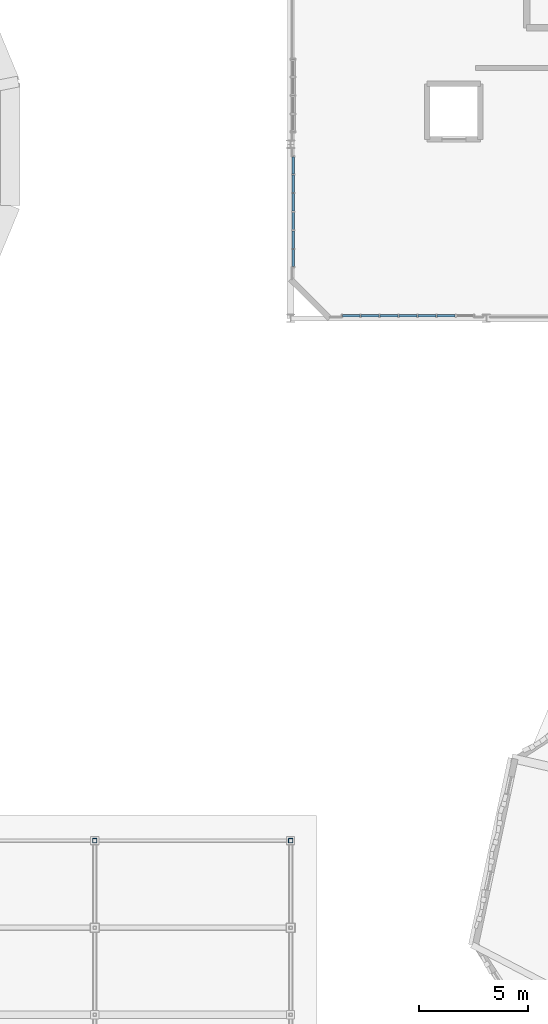
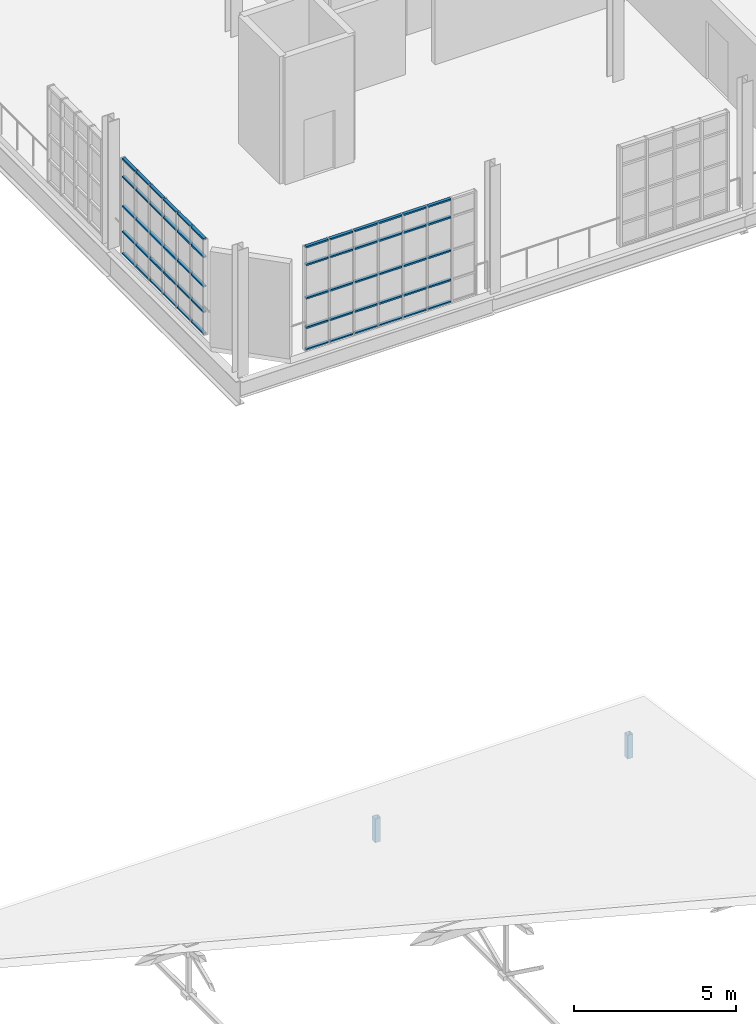
# One storey, part 74 of 118: 62 members, 2 elements without a shape of their own.
"""IFC4 building model written with IfcOpenShell, lengths in metres."""

from ifc_helpers import new_model, si_unit, direction, frame, origin, origin_2d, place, context, subcontext, project, spatial, hollow_rectangle, extrude, material, layer, layer_set, material_profile, profile_set, type_object, element, aggregate, save


model = new_model("IFC4")

# Units and contexts
model_context = context("Model", 3, precision=1e-05, world=origin(), true_north=direction((0.0, 1.0)))
body_context = subcontext(model_context, "Body", "Model", "MODEL_VIEW")
ifc_project = project(units=[si_unit("LENGTHUNIT", "METRE"), si_unit("AREAUNIT", "SQUARE_METRE"), si_unit("VOLUMEUNIT", "CUBIC_METRE"), si_unit("PLANEANGLEUNIT", "RADIAN"), si_unit("MASSUNIT", "GRAM", prefix="KILO"), si_unit("THERMODYNAMICTEMPERATUREUNIT", "KELVIN"), si_unit("POWERUNIT", "WATT")], contexts=[model_context])

# Site, building, storey
site_placement = place(None, origin())
site = spatial("IfcSite", under=ifc_project, at=site_placement, CompositionType="ELEMENT")
building_placement = place(site_placement, origin())
building = spatial("IfcBuilding", under=site, at=building_placement, Name="Zelmaris Science Centre", CompositionType="ELEMENT")
storey_placement = place(building_placement, frame((0.0, 0.0, 15.60009765625)))
storey = spatial("IfcBuildingStorey", under=building, at=storey_placement, Name="L03", CompositionType="ELEMENT", Elevation=15.60009765625)

# Curtain wall, members
ifc_material_1 = material(Name="Anodised architectural aluminium 6063-T6", Category="aluminium")
ifc_layer = layer(ifc_material_1, 0.219970703125, Name="Anodised architectural aluminium 6063-T6")
ifc_layer_set = layer_set([ifc_layer], Name="Anodised architectural aluminium 6063-T6")
curtain_wall_type = type_object("IfcCurtainWallType", Name="Curtain Wall CW-04", PredefinedType="USERDEFINED", material=ifc_layer_set)
curtain_wall_1_placement = place(storey_placement, origin())
curtain_wall_1 = element("IfcCurtainWall", 1, at=curtain_wall_1_placement, inside=storey, type_object=curtain_wall_type, Name="L03 Unitised curtain wall 276", ObjectType="GLAZED CURTAIN WALL", PredefinedType="USERDEFINED")
ifc_material_profile_1 = material_profile(ifc_material_1, hollow_rectangle(XDim=0.06005859375, YDim=0.110107421875, WallThickness=0.0029296875, at=origin_2d()), Name="ALU-TRN-60X110")
ifc_profile_set_1 = profile_set([ifc_material_profile_1], Name="Anodised architectural aluminium 6063-T6")
member_type_1 = type_object("IfcMemberType", Name="ALU-TRN-60X110", PredefinedType="USERDEFINED", material=ifc_profile_set_1)
member_1_placement = place(storey_placement, frame((54.1201171875, 66.39208984375, 0.010986328125), z_axis=(0.0, 1.0, 0.0), x_axis=(0.0, 0.0, 1.0)))
member_1 = element("IfcMember", 2, at=member_1_placement, type_object=member_type_1, Name="CW-04 transom 1.1", ObjectType="TRANSOM", PredefinedType="USERDEFINED", context=body_context, shape_type="SweptSolid", body=[
    extrude(hollow_rectangle(XDim=0.06005859375, YDim=0.110107421875, WallThickness=0.0029296875, at=origin_2d()), origin(), (0.0, 0.0, 1.0), 0.775146484375),
])
member_2_placement = place(storey_placement, frame((54.1201171875, 66.39208984375, 0.8349609375), z_axis=(0.0, 1.0, 0.0), x_axis=(0.0, 0.0, 1.0)))
member_2 = element("IfcMember", 3, at=member_2_placement, type_object=member_type_1, Name="CW-04 transom 1.2", ObjectType="TRANSOM", PredefinedType="USERDEFINED", context=body_context, shape_type="SweptSolid", body=[
    extrude(hollow_rectangle(XDim=0.06005859375, YDim=0.110107421875, WallThickness=0.0029296875, at=origin_2d()), origin(), (0.0, 0.0, 1.0), 0.775146484375),
])
member_3_placement = place(storey_placement, frame((54.1201171875, 66.39208984375, 1.7939453125), z_axis=(0.0, 1.0, 0.0), x_axis=(0.0, 0.0, 1.0)))
member_3 = element("IfcMember", 4, at=member_3_placement, type_object=member_type_1, Name="CW-04 transom 1.3", ObjectType="TRANSOM", PredefinedType="USERDEFINED", context=body_context, shape_type="SweptSolid", body=[
    extrude(hollow_rectangle(XDim=0.06005859375, YDim=0.110107421875, WallThickness=0.0029296875, at=origin_2d()), origin(), (0.0, 0.0, 1.0), 0.775146484375),
])
member_4_placement = place(storey_placement, frame((54.1201171875, 66.39208984375, 2.90283203125), z_axis=(0.0, 1.0, 0.0), x_axis=(0.0, 0.0, 1.0)))
member_4 = element("IfcMember", 5, at=member_4_placement, type_object=member_type_1, Name="CW-04 transom 1.4", ObjectType="TRANSOM", PredefinedType="USERDEFINED", context=body_context, shape_type="SweptSolid", body=[
    extrude(hollow_rectangle(XDim=0.06005859375, YDim=0.110107421875, WallThickness=0.0029296875, at=origin_2d()), origin(), (0.0, 0.0, 1.0), 0.775146484375),
])
member_5_placement = place(storey_placement, frame((54.1201171875, 66.39208984375, 3.576904296875), z_axis=(0.0, 1.0, 0.0), x_axis=(0.0, 0.0, 1.0)))
member_5 = element("IfcMember", 6, at=member_5_placement, type_object=member_type_1, Name="CW-04 transom 1.5", ObjectType="TRANSOM", PredefinedType="USERDEFINED", context=body_context, shape_type="SweptSolid", body=[
    extrude(hollow_rectangle(XDim=0.06005859375, YDim=0.110107421875, WallThickness=0.0029296875, at=origin_2d()), origin(), (0.0, 0.0, 1.0), 0.775146484375),
])
member_6_placement = place(storey_placement, frame((54.1201171875, 67.21923828125, 0.010986328125), z_axis=(0.0, 1.0, 0.0), x_axis=(0.0, 0.0, 1.0)))
member_6 = element("IfcMember", 7, at=member_6_placement, type_object=member_type_1, Name="CW-04 transom 2.1", ObjectType="TRANSOM", PredefinedType="USERDEFINED", context=body_context, shape_type="SweptSolid", body=[
    extrude(hollow_rectangle(XDim=0.06005859375, YDim=0.110107421875, WallThickness=0.0029296875, at=origin_2d()), origin(), (0.0, 0.0, 1.0), 0.801513671875),
])
member_7_placement = place(storey_placement, frame((54.1201171875, 67.21923828125, 0.8349609375), z_axis=(0.0, 1.0, 0.0), x_axis=(0.0, 0.0, 1.0)))
member_7 = element("IfcMember", 8, at=member_7_placement, type_object=member_type_1, Name="CW-04 transom 2.2", ObjectType="TRANSOM", PredefinedType="USERDEFINED", context=body_context, shape_type="SweptSolid", body=[
    extrude(hollow_rectangle(XDim=0.06005859375, YDim=0.110107421875, WallThickness=0.0029296875, at=origin_2d()), origin(), (0.0, 0.0, 1.0), 0.801513671875),
])
member_8_placement = place(storey_placement, frame((54.1201171875, 67.21923828125, 1.7939453125), z_axis=(0.0, 1.0, 0.0), x_axis=(0.0, 0.0, 1.0)))
member_8 = element("IfcMember", 9, at=member_8_placement, type_object=member_type_1, Name="CW-04 transom 2.3", ObjectType="TRANSOM", PredefinedType="USERDEFINED", context=body_context, shape_type="SweptSolid", body=[
    extrude(hollow_rectangle(XDim=0.06005859375, YDim=0.110107421875, WallThickness=0.0029296875, at=origin_2d()), origin(), (0.0, 0.0, 1.0), 0.801513671875),
])
member_9_placement = place(storey_placement, frame((54.1201171875, 67.21923828125, 2.90283203125), z_axis=(0.0, 1.0, 0.0), x_axis=(0.0, 0.0, 1.0)))
member_9 = element("IfcMember", 10, at=member_9_placement, type_object=member_type_1, Name="CW-04 transom 2.4", ObjectType="TRANSOM", PredefinedType="USERDEFINED", context=body_context, shape_type="SweptSolid", body=[
    extrude(hollow_rectangle(XDim=0.06005859375, YDim=0.110107421875, WallThickness=0.0029296875, at=origin_2d()), origin(), (0.0, 0.0, 1.0), 0.801513671875),
])
member_10_placement = place(storey_placement, frame((54.1201171875, 67.21923828125, 3.576904296875), z_axis=(0.0, 1.0, 0.0), x_axis=(0.0, 0.0, 1.0)))
member_10 = element("IfcMember", 11, at=member_10_placement, type_object=member_type_1, Name="CW-04 transom 2.5", ObjectType="TRANSOM", PredefinedType="USERDEFINED", context=body_context, shape_type="SweptSolid", body=[
    extrude(hollow_rectangle(XDim=0.06005859375, YDim=0.110107421875, WallThickness=0.0029296875, at=origin_2d()), origin(), (0.0, 0.0, 1.0), 0.801513671875),
])
member_11_placement = place(storey_placement, frame((54.1201171875, 68.07275390625, 0.010986328125), z_axis=(0.0, 1.0, 0.0), x_axis=(0.0, 0.0, 1.0)))
member_11 = element("IfcMember", 12, at=member_11_placement, type_object=member_type_1, Name="CW-04 transom 3.1", ObjectType="TRANSOM", PredefinedType="USERDEFINED", context=body_context, shape_type="SweptSolid", body=[
    extrude(hollow_rectangle(XDim=0.06005859375, YDim=0.110107421875, WallThickness=0.0029296875, at=origin_2d()), origin(), (0.0, 0.0, 1.0), 0.80126953125),
])
member_12_placement = place(storey_placement, frame((54.1201171875, 68.07275390625, 0.8349609375), z_axis=(0.0, 1.0, 0.0), x_axis=(0.0, 0.0, 1.0)))
member_12 = element("IfcMember", 13, at=member_12_placement, type_object=member_type_1, Name="CW-04 transom 3.2", ObjectType="TRANSOM", PredefinedType="USERDEFINED", context=body_context, shape_type="SweptSolid", body=[
    extrude(hollow_rectangle(XDim=0.06005859375, YDim=0.110107421875, WallThickness=0.0029296875, at=origin_2d()), origin(), (0.0, 0.0, 1.0), 0.80126953125),
])
member_13_placement = place(storey_placement, frame((54.1201171875, 68.07275390625, 1.7939453125), z_axis=(0.0, 1.0, 0.0), x_axis=(0.0, 0.0, 1.0)))
member_13 = element("IfcMember", 14, at=member_13_placement, type_object=member_type_1, Name="CW-04 transom 3.3", ObjectType="TRANSOM", PredefinedType="USERDEFINED", context=body_context, shape_type="SweptSolid", body=[
    extrude(hollow_rectangle(XDim=0.06005859375, YDim=0.110107421875, WallThickness=0.0029296875, at=origin_2d()), origin(), (0.0, 0.0, 1.0), 0.80126953125),
])
member_14_placement = place(storey_placement, frame((54.1201171875, 68.07275390625, 2.90283203125), z_axis=(0.0, 1.0, 0.0), x_axis=(0.0, 0.0, 1.0)))
member_14 = element("IfcMember", 15, at=member_14_placement, type_object=member_type_1, Name="CW-04 transom 3.4", ObjectType="TRANSOM", PredefinedType="USERDEFINED", context=body_context, shape_type="SweptSolid", body=[
    extrude(hollow_rectangle(XDim=0.06005859375, YDim=0.110107421875, WallThickness=0.0029296875, at=origin_2d()), origin(), (0.0, 0.0, 1.0), 0.80126953125),
])
member_15_placement = place(storey_placement, frame((54.1201171875, 68.07275390625, 3.576904296875), z_axis=(0.0, 1.0, 0.0), x_axis=(0.0, 0.0, 1.0)))
member_15 = element("IfcMember", 16, at=member_15_placement, type_object=member_type_1, Name="CW-04 transom 3.5", ObjectType="TRANSOM", PredefinedType="USERDEFINED", context=body_context, shape_type="SweptSolid", body=[
    extrude(hollow_rectangle(XDim=0.06005859375, YDim=0.110107421875, WallThickness=0.0029296875, at=origin_2d()), origin(), (0.0, 0.0, 1.0), 0.80126953125),
])
member_16_placement = place(storey_placement, frame((54.1201171875, 68.926025390625, 0.010986328125), z_axis=(0.0, 1.0, 0.0), x_axis=(0.0, 0.0, 1.0)))
member_16 = element("IfcMember", 17, at=member_16_placement, type_object=member_type_1, Name="CW-04 transom 4.1", ObjectType="TRANSOM", PredefinedType="USERDEFINED", context=body_context, shape_type="SweptSolid", body=[
    extrude(hollow_rectangle(XDim=0.06005859375, YDim=0.110107421875, WallThickness=0.0029296875, at=origin_2d()), origin(), (0.0, 0.0, 1.0), 0.80126953125),
])
member_17_placement = place(storey_placement, frame((54.1201171875, 68.926025390625, 0.8349609375), z_axis=(0.0, 1.0, 0.0), x_axis=(0.0, 0.0, 1.0)))
member_17 = element("IfcMember", 18, at=member_17_placement, type_object=member_type_1, Name="CW-04 transom 4.2", ObjectType="TRANSOM", PredefinedType="USERDEFINED", context=body_context, shape_type="SweptSolid", body=[
    extrude(hollow_rectangle(XDim=0.06005859375, YDim=0.110107421875, WallThickness=0.0029296875, at=origin_2d()), origin(), (0.0, 0.0, 1.0), 0.80126953125),
])
member_18_placement = place(storey_placement, frame((54.1201171875, 68.926025390625, 1.7939453125), z_axis=(0.0, 1.0, 0.0), x_axis=(0.0, 0.0, 1.0)))
member_18 = element("IfcMember", 19, at=member_18_placement, type_object=member_type_1, Name="CW-04 transom 4.3", ObjectType="TRANSOM", PredefinedType="USERDEFINED", context=body_context, shape_type="SweptSolid", body=[
    extrude(hollow_rectangle(XDim=0.06005859375, YDim=0.110107421875, WallThickness=0.0029296875, at=origin_2d()), origin(), (0.0, 0.0, 1.0), 0.80126953125),
])
member_19_placement = place(storey_placement, frame((54.1201171875, 68.926025390625, 2.90283203125), z_axis=(0.0, 1.0, 0.0), x_axis=(0.0, 0.0, 1.0)))
member_19 = element("IfcMember", 20, at=member_19_placement, type_object=member_type_1, Name="CW-04 transom 4.4", ObjectType="TRANSOM", PredefinedType="USERDEFINED", context=body_context, shape_type="SweptSolid", body=[
    extrude(hollow_rectangle(XDim=0.06005859375, YDim=0.110107421875, WallThickness=0.0029296875, at=origin_2d()), origin(), (0.0, 0.0, 1.0), 0.80126953125),
])
member_20_placement = place(storey_placement, frame((54.1201171875, 68.926025390625, 3.576904296875), z_axis=(0.0, 1.0, 0.0), x_axis=(0.0, 0.0, 1.0)))
member_20 = element("IfcMember", 21, at=member_20_placement, type_object=member_type_1, Name="CW-04 transom 4.5", ObjectType="TRANSOM", PredefinedType="USERDEFINED", context=body_context, shape_type="SweptSolid", body=[
    extrude(hollow_rectangle(XDim=0.06005859375, YDim=0.110107421875, WallThickness=0.0029296875, at=origin_2d()), origin(), (0.0, 0.0, 1.0), 0.80126953125),
])
member_21_placement = place(storey_placement, frame((54.1201171875, 69.779296875, 0.010986328125), z_axis=(0.0, 1.0, 0.0), x_axis=(0.0, 0.0, 1.0)))
member_21 = element("IfcMember", 22, at=member_21_placement, type_object=member_type_1, Name="CW-04 transom 5.1", ObjectType="TRANSOM", PredefinedType="USERDEFINED", context=body_context, shape_type="SweptSolid", body=[
    extrude(hollow_rectangle(XDim=0.06005859375, YDim=0.110107421875, WallThickness=0.0029296875, at=origin_2d()), origin(), (0.0, 0.0, 1.0), 0.80126953125),
])
member_22_placement = place(storey_placement, frame((54.1201171875, 69.779296875, 0.8349609375), z_axis=(0.0, 1.0, 0.0), x_axis=(0.0, 0.0, 1.0)))
member_22 = element("IfcMember", 23, at=member_22_placement, type_object=member_type_1, Name="CW-04 transom 5.2", ObjectType="TRANSOM", PredefinedType="USERDEFINED", context=body_context, shape_type="SweptSolid", body=[
    extrude(hollow_rectangle(XDim=0.06005859375, YDim=0.110107421875, WallThickness=0.0029296875, at=origin_2d()), origin(), (0.0, 0.0, 1.0), 0.80126953125),
])
member_23_placement = place(storey_placement, frame((54.1201171875, 69.779296875, 1.7939453125), z_axis=(0.0, 1.0, 0.0), x_axis=(0.0, 0.0, 1.0)))
member_23 = element("IfcMember", 24, at=member_23_placement, type_object=member_type_1, Name="CW-04 transom 5.3", ObjectType="TRANSOM", PredefinedType="USERDEFINED", context=body_context, shape_type="SweptSolid", body=[
    extrude(hollow_rectangle(XDim=0.06005859375, YDim=0.110107421875, WallThickness=0.0029296875, at=origin_2d()), origin(), (0.0, 0.0, 1.0), 0.80126953125),
])
member_24_placement = place(storey_placement, frame((54.1201171875, 69.779296875, 2.90283203125), z_axis=(0.0, 1.0, 0.0), x_axis=(0.0, 0.0, 1.0)))
member_24 = element("IfcMember", 25, at=member_24_placement, type_object=member_type_1, Name="CW-04 transom 5.4", ObjectType="TRANSOM", PredefinedType="USERDEFINED", context=body_context, shape_type="SweptSolid", body=[
    extrude(hollow_rectangle(XDim=0.06005859375, YDim=0.110107421875, WallThickness=0.0029296875, at=origin_2d()), origin(), (0.0, 0.0, 1.0), 0.80126953125),
])
member_25_placement = place(storey_placement, frame((54.1201171875, 69.779296875, 3.576904296875), z_axis=(0.0, 1.0, 0.0), x_axis=(0.0, 0.0, 1.0)))
member_25 = element("IfcMember", 26, at=member_25_placement, type_object=member_type_1, Name="CW-04 transom 5.5", ObjectType="TRANSOM", PredefinedType="USERDEFINED", context=body_context, shape_type="SweptSolid", body=[
    extrude(hollow_rectangle(XDim=0.06005859375, YDim=0.110107421875, WallThickness=0.0029296875, at=origin_2d()), origin(), (0.0, 0.0, 1.0), 0.80126953125),
])
member_26_placement = place(storey_placement, frame((54.1201171875, 70.632568359375, 0.010986328125), z_axis=(0.0, 1.0, 0.0), x_axis=(0.0, 0.0, 1.0)))
member_26 = element("IfcMember", 27, at=member_26_placement, type_object=member_type_1, Name="CW-04 transom 6.1", ObjectType="TRANSOM", PredefinedType="USERDEFINED", context=body_context, shape_type="SweptSolid", body=[
    extrude(hollow_rectangle(XDim=0.06005859375, YDim=0.110107421875, WallThickness=0.0029296875, at=origin_2d()), origin(), (0.0, 0.0, 1.0), 0.775390625),
])
member_27_placement = place(storey_placement, frame((54.1201171875, 70.632568359375, 0.8349609375), z_axis=(0.0, 1.0, 0.0), x_axis=(0.0, 0.0, 1.0)))
member_27 = element("IfcMember", 28, at=member_27_placement, type_object=member_type_1, Name="CW-04 transom 6.2", ObjectType="TRANSOM", PredefinedType="USERDEFINED", context=body_context, shape_type="SweptSolid", body=[
    extrude(hollow_rectangle(XDim=0.06005859375, YDim=0.110107421875, WallThickness=0.0029296875, at=origin_2d()), origin(), (0.0, 0.0, 1.0), 0.775390625),
])
member_28_placement = place(storey_placement, frame((54.1201171875, 70.632568359375, 1.7939453125), z_axis=(0.0, 1.0, 0.0), x_axis=(0.0, 0.0, 1.0)))
member_28 = element("IfcMember", 29, at=member_28_placement, type_object=member_type_1, Name="CW-04 transom 6.3", ObjectType="TRANSOM", PredefinedType="USERDEFINED", context=body_context, shape_type="SweptSolid", body=[
    extrude(hollow_rectangle(XDim=0.06005859375, YDim=0.110107421875, WallThickness=0.0029296875, at=origin_2d()), origin(), (0.0, 0.0, 1.0), 0.775390625),
])
member_29_placement = place(storey_placement, frame((54.1201171875, 70.632568359375, 2.90283203125), z_axis=(0.0, 1.0, 0.0), x_axis=(0.0, 0.0, 1.0)))
member_29 = element("IfcMember", 30, at=member_29_placement, type_object=member_type_1, Name="CW-04 transom 6.4", ObjectType="TRANSOM", PredefinedType="USERDEFINED", context=body_context, shape_type="SweptSolid", body=[
    extrude(hollow_rectangle(XDim=0.06005859375, YDim=0.110107421875, WallThickness=0.0029296875, at=origin_2d()), origin(), (0.0, 0.0, 1.0), 0.775390625),
])
member_30_placement = place(storey_placement, frame((54.1201171875, 70.632568359375, 3.576904296875), z_axis=(0.0, 1.0, 0.0), x_axis=(0.0, 0.0, 1.0)))
member_30 = element("IfcMember", 31, at=member_30_placement, type_object=member_type_1, Name="CW-04 transom 6.5", ObjectType="TRANSOM", PredefinedType="USERDEFINED", context=body_context, shape_type="SweptSolid", body=[
    extrude(hollow_rectangle(XDim=0.06005859375, YDim=0.110107421875, WallThickness=0.0029296875, at=origin_2d()), origin(), (0.0, 0.0, 1.0), 0.775390625),
])
aggregate(curtain_wall_1, [member_1, member_2, member_3, member_4, member_5, member_6, member_7, member_8, member_9, member_10, member_11, member_12, member_13, member_14, member_15, member_16, member_17, member_18, member_19, member_20, member_21, member_22, member_23, member_24, member_25, member_26, member_27, member_28, member_29, member_30])

curtain_wall_2_placement = place(storey_placement, origin())
curtain_wall_2 = element("IfcCurtainWall", 32, at=curtain_wall_2_placement, inside=storey, type_object=curtain_wall_type, Name="L03 Unitised curtain wall 320", ObjectType="GLAZED CURTAIN WALL", PredefinedType="USERDEFINED")
member_31_placement = place(storey_placement, frame((61.559814453125, 64.1201171875, 0.010986328125), z_axis=(-1.0, 0.0, 0.0), x_axis=(0.0, 0.0, 1.0)))
member_31 = element("IfcMember", 33, at=member_31_placement, type_object=member_type_1, Name="CW-04 transom 2.1", ObjectType="TRANSOM", PredefinedType="USERDEFINED", context=body_context, shape_type="SweptSolid", body=[
    extrude(hollow_rectangle(XDim=0.06005859375, YDim=0.110107421875, WallThickness=0.0029296875, at=origin_2d()), origin(), (0.0, 0.0, 1.0), 0.822265625),
])
member_32_placement = place(storey_placement, frame((61.559814453125, 64.1201171875, 0.8349609375), z_axis=(-1.0, 0.0, 0.0), x_axis=(0.0, 0.0, 1.0)))
member_32 = element("IfcMember", 34, at=member_32_placement, type_object=member_type_1, Name="CW-04 transom 2.2", ObjectType="TRANSOM", PredefinedType="USERDEFINED", context=body_context, shape_type="SweptSolid", body=[
    extrude(hollow_rectangle(XDim=0.06005859375, YDim=0.110107421875, WallThickness=0.0029296875, at=origin_2d()), origin(), (0.0, 0.0, 1.0), 0.822265625),
])
member_33_placement = place(storey_placement, frame((61.559814453125, 64.1201171875, 1.94384765625), z_axis=(-1.0, 0.0, 0.0), x_axis=(0.0, 0.0, 1.0)))
member_33 = element("IfcMember", 35, at=member_33_placement, type_object=member_type_1, Name="CW-04 transom 2.3", ObjectType="TRANSOM", PredefinedType="USERDEFINED", context=body_context, shape_type="SweptSolid", body=[
    extrude(hollow_rectangle(XDim=0.06005859375, YDim=0.110107421875, WallThickness=0.0029296875, at=origin_2d()), origin(), (0.0, 0.0, 1.0), 0.822265625),
])
member_34_placement = place(storey_placement, frame((61.559814453125, 64.1201171875, 3.202880859375), z_axis=(-1.0, 0.0, 0.0), x_axis=(0.0, 0.0, 1.0)))
member_34 = element("IfcMember", 36, at=member_34_placement, type_object=member_type_1, Name="CW-04 transom 2.4", ObjectType="TRANSOM", PredefinedType="USERDEFINED", context=body_context, shape_type="SweptSolid", body=[
    extrude(hollow_rectangle(XDim=0.06005859375, YDim=0.110107421875, WallThickness=0.0029296875, at=origin_2d()), origin(), (0.0, 0.0, 1.0), 0.822265625),
])
member_35_placement = place(storey_placement, frame((61.559814453125, 64.1201171875, 3.876953125), z_axis=(-1.0, 0.0, 0.0), x_axis=(0.0, 0.0, 1.0)))
member_35 = element("IfcMember", 37, at=member_35_placement, type_object=member_type_1, Name="CW-04 transom 2.5", ObjectType="TRANSOM", PredefinedType="USERDEFINED", context=body_context, shape_type="SweptSolid", body=[
    extrude(hollow_rectangle(XDim=0.06005859375, YDim=0.110107421875, WallThickness=0.0029296875, at=origin_2d()), origin(), (0.0, 0.0, 1.0), 0.822265625),
])
member_36_placement = place(storey_placement, frame((60.685546875, 64.1201171875, 0.010986328125), z_axis=(-1.0, 0.0, 0.0), x_axis=(0.0, 0.0, 1.0)))
member_36 = element("IfcMember", 38, at=member_36_placement, type_object=member_type_1, Name="CW-04 transom 3.1", ObjectType="TRANSOM", PredefinedType="USERDEFINED", context=body_context, shape_type="SweptSolid", body=[
    extrude(hollow_rectangle(XDim=0.06005859375, YDim=0.110107421875, WallThickness=0.0029296875, at=origin_2d()), origin(), (0.0, 0.0, 1.0), 0.822509765625),
])
member_37_placement = place(storey_placement, frame((60.685546875, 64.1201171875, 0.8349609375), z_axis=(-1.0, 0.0, 0.0), x_axis=(0.0, 0.0, 1.0)))
member_37 = element("IfcMember", 39, at=member_37_placement, type_object=member_type_1, Name="CW-04 transom 3.2", ObjectType="TRANSOM", PredefinedType="USERDEFINED", context=body_context, shape_type="SweptSolid", body=[
    extrude(hollow_rectangle(XDim=0.06005859375, YDim=0.110107421875, WallThickness=0.0029296875, at=origin_2d()), origin(), (0.0, 0.0, 1.0), 0.822509765625),
])
member_38_placement = place(storey_placement, frame((60.685546875, 64.1201171875, 1.94384765625), z_axis=(-1.0, 0.0, 0.0), x_axis=(0.0, 0.0, 1.0)))
member_38 = element("IfcMember", 40, at=member_38_placement, type_object=member_type_1, Name="CW-04 transom 3.3", ObjectType="TRANSOM", PredefinedType="USERDEFINED", context=body_context, shape_type="SweptSolid", body=[
    extrude(hollow_rectangle(XDim=0.06005859375, YDim=0.110107421875, WallThickness=0.0029296875, at=origin_2d()), origin(), (0.0, 0.0, 1.0), 0.822509765625),
])
member_39_placement = place(storey_placement, frame((60.685546875, 64.1201171875, 3.202880859375), z_axis=(-1.0, 0.0, 0.0), x_axis=(0.0, 0.0, 1.0)))
member_39 = element("IfcMember", 41, at=member_39_placement, type_object=member_type_1, Name="CW-04 transom 3.4", ObjectType="TRANSOM", PredefinedType="USERDEFINED", context=body_context, shape_type="SweptSolid", body=[
    extrude(hollow_rectangle(XDim=0.06005859375, YDim=0.110107421875, WallThickness=0.0029296875, at=origin_2d()), origin(), (0.0, 0.0, 1.0), 0.822509765625),
])
member_40_placement = place(storey_placement, frame((60.685546875, 64.1201171875, 3.876953125), z_axis=(-1.0, 0.0, 0.0), x_axis=(0.0, 0.0, 1.0)))
member_40 = element("IfcMember", 42, at=member_40_placement, type_object=member_type_1, Name="CW-04 transom 3.5", ObjectType="TRANSOM", PredefinedType="USERDEFINED", context=body_context, shape_type="SweptSolid", body=[
    extrude(hollow_rectangle(XDim=0.06005859375, YDim=0.110107421875, WallThickness=0.0029296875, at=origin_2d()), origin(), (0.0, 0.0, 1.0), 0.822509765625),
])
member_41_placement = place(storey_placement, frame((59.81103515625, 64.1201171875, 0.010986328125), z_axis=(-1.0, 0.0, 0.0), x_axis=(0.0, 0.0, 1.0)))
member_41 = element("IfcMember", 43, at=member_41_placement, type_object=member_type_1, Name="CW-04 transom 4.1", ObjectType="TRANSOM", PredefinedType="USERDEFINED", context=body_context, shape_type="SweptSolid", body=[
    extrude(hollow_rectangle(XDim=0.06005859375, YDim=0.110107421875, WallThickness=0.0029296875, at=origin_2d()), origin(), (0.0, 0.0, 1.0), 0.822265625),
])
member_42_placement = place(storey_placement, frame((59.81103515625, 64.1201171875, 0.8349609375), z_axis=(-1.0, 0.0, 0.0), x_axis=(0.0, 0.0, 1.0)))
member_42 = element("IfcMember", 44, at=member_42_placement, type_object=member_type_1, Name="CW-04 transom 4.2", ObjectType="TRANSOM", PredefinedType="USERDEFINED", context=body_context, shape_type="SweptSolid", body=[
    extrude(hollow_rectangle(XDim=0.06005859375, YDim=0.110107421875, WallThickness=0.0029296875, at=origin_2d()), origin(), (0.0, 0.0, 1.0), 0.822265625),
])
member_43_placement = place(storey_placement, frame((59.81103515625, 64.1201171875, 1.94384765625), z_axis=(-1.0, 0.0, 0.0), x_axis=(0.0, 0.0, 1.0)))
member_43 = element("IfcMember", 45, at=member_43_placement, type_object=member_type_1, Name="CW-04 transom 4.3", ObjectType="TRANSOM", PredefinedType="USERDEFINED", context=body_context, shape_type="SweptSolid", body=[
    extrude(hollow_rectangle(XDim=0.06005859375, YDim=0.110107421875, WallThickness=0.0029296875, at=origin_2d()), origin(), (0.0, 0.0, 1.0), 0.822265625),
])
member_44_placement = place(storey_placement, frame((59.81103515625, 64.1201171875, 3.202880859375), z_axis=(-1.0, 0.0, 0.0), x_axis=(0.0, 0.0, 1.0)))
member_44 = element("IfcMember", 46, at=member_44_placement, type_object=member_type_1, Name="CW-04 transom 4.4", ObjectType="TRANSOM", PredefinedType="USERDEFINED", context=body_context, shape_type="SweptSolid", body=[
    extrude(hollow_rectangle(XDim=0.06005859375, YDim=0.110107421875, WallThickness=0.0029296875, at=origin_2d()), origin(), (0.0, 0.0, 1.0), 0.822265625),
])
member_45_placement = place(storey_placement, frame((59.81103515625, 64.1201171875, 3.876953125), z_axis=(-1.0, 0.0, 0.0), x_axis=(0.0, 0.0, 1.0)))
member_45 = element("IfcMember", 47, at=member_45_placement, type_object=member_type_1, Name="CW-04 transom 4.5", ObjectType="TRANSOM", PredefinedType="USERDEFINED", context=body_context, shape_type="SweptSolid", body=[
    extrude(hollow_rectangle(XDim=0.06005859375, YDim=0.110107421875, WallThickness=0.0029296875, at=origin_2d()), origin(), (0.0, 0.0, 1.0), 0.822265625),
])
member_46_placement = place(storey_placement, frame((58.936767578125, 64.1201171875, 0.010986328125), z_axis=(-1.0, 0.0, 0.0), x_axis=(0.0, 0.0, 1.0)))
member_46 = element("IfcMember", 48, at=member_46_placement, type_object=member_type_1, Name="CW-04 transom 5.1", ObjectType="TRANSOM", PredefinedType="USERDEFINED", context=body_context, shape_type="SweptSolid", body=[
    extrude(hollow_rectangle(XDim=0.06005859375, YDim=0.110107421875, WallThickness=0.0029296875, at=origin_2d()), origin(), (0.0, 0.0, 1.0), 0.822265625),
])
member_47_placement = place(storey_placement, frame((58.936767578125, 64.1201171875, 0.8349609375), z_axis=(-1.0, 0.0, 0.0), x_axis=(0.0, 0.0, 1.0)))
member_47 = element("IfcMember", 49, at=member_47_placement, type_object=member_type_1, Name="CW-04 transom 5.2", ObjectType="TRANSOM", PredefinedType="USERDEFINED", context=body_context, shape_type="SweptSolid", body=[
    extrude(hollow_rectangle(XDim=0.06005859375, YDim=0.110107421875, WallThickness=0.0029296875, at=origin_2d()), origin(), (0.0, 0.0, 1.0), 0.822265625),
])
member_48_placement = place(storey_placement, frame((58.936767578125, 64.1201171875, 1.94384765625), z_axis=(-1.0, 0.0, 0.0), x_axis=(0.0, 0.0, 1.0)))
member_48 = element("IfcMember", 50, at=member_48_placement, type_object=member_type_1, Name="CW-04 transom 5.3", ObjectType="TRANSOM", PredefinedType="USERDEFINED", context=body_context, shape_type="SweptSolid", body=[
    extrude(hollow_rectangle(XDim=0.06005859375, YDim=0.110107421875, WallThickness=0.0029296875, at=origin_2d()), origin(), (0.0, 0.0, 1.0), 0.822265625),
])
member_49_placement = place(storey_placement, frame((58.936767578125, 64.1201171875, 3.202880859375), z_axis=(-1.0, 0.0, 0.0), x_axis=(0.0, 0.0, 1.0)))
member_49 = element("IfcMember", 51, at=member_49_placement, type_object=member_type_1, Name="CW-04 transom 5.4", ObjectType="TRANSOM", PredefinedType="USERDEFINED", context=body_context, shape_type="SweptSolid", body=[
    extrude(hollow_rectangle(XDim=0.06005859375, YDim=0.110107421875, WallThickness=0.0029296875, at=origin_2d()), origin(), (0.0, 0.0, 1.0), 0.822265625),
])
member_50_placement = place(storey_placement, frame((58.936767578125, 64.1201171875, 3.876953125), z_axis=(-1.0, 0.0, 0.0), x_axis=(0.0, 0.0, 1.0)))
member_50 = element("IfcMember", 52, at=member_50_placement, type_object=member_type_1, Name="CW-04 transom 5.5", ObjectType="TRANSOM", PredefinedType="USERDEFINED", context=body_context, shape_type="SweptSolid", body=[
    extrude(hollow_rectangle(XDim=0.06005859375, YDim=0.110107421875, WallThickness=0.0029296875, at=origin_2d()), origin(), (0.0, 0.0, 1.0), 0.822265625),
])
member_51_placement = place(storey_placement, frame((58.0625, 64.1201171875, 0.010986328125), z_axis=(-1.0, 0.0, 0.0), x_axis=(0.0, 0.0, 1.0)))
member_51 = element("IfcMember", 53, at=member_51_placement, type_object=member_type_1, Name="CW-04 transom 6.1", ObjectType="TRANSOM", PredefinedType="USERDEFINED", context=body_context, shape_type="SweptSolid", body=[
    extrude(hollow_rectangle(XDim=0.06005859375, YDim=0.110107421875, WallThickness=0.0029296875, at=origin_2d()), origin(), (0.0, 0.0, 1.0), 0.822265625),
])
member_52_placement = place(storey_placement, frame((58.0625, 64.1201171875, 0.8349609375), z_axis=(-1.0, 0.0, 0.0), x_axis=(0.0, 0.0, 1.0)))
member_52 = element("IfcMember", 54, at=member_52_placement, type_object=member_type_1, Name="CW-04 transom 6.2", ObjectType="TRANSOM", PredefinedType="USERDEFINED", context=body_context, shape_type="SweptSolid", body=[
    extrude(hollow_rectangle(XDim=0.06005859375, YDim=0.110107421875, WallThickness=0.0029296875, at=origin_2d()), origin(), (0.0, 0.0, 1.0), 0.822265625),
])
member_53_placement = place(storey_placement, frame((58.0625, 64.1201171875, 1.94384765625), z_axis=(-1.0, 0.0, 0.0), x_axis=(0.0, 0.0, 1.0)))
member_53 = element("IfcMember", 55, at=member_53_placement, type_object=member_type_1, Name="CW-04 transom 6.3", ObjectType="TRANSOM", PredefinedType="USERDEFINED", context=body_context, shape_type="SweptSolid", body=[
    extrude(hollow_rectangle(XDim=0.06005859375, YDim=0.110107421875, WallThickness=0.0029296875, at=origin_2d()), origin(), (0.0, 0.0, 1.0), 0.822265625),
])
member_54_placement = place(storey_placement, frame((58.0625, 64.1201171875, 3.202880859375), z_axis=(-1.0, 0.0, 0.0), x_axis=(0.0, 0.0, 1.0)))
member_54 = element("IfcMember", 56, at=member_54_placement, type_object=member_type_1, Name="CW-04 transom 6.4", ObjectType="TRANSOM", PredefinedType="USERDEFINED", context=body_context, shape_type="SweptSolid", body=[
    extrude(hollow_rectangle(XDim=0.06005859375, YDim=0.110107421875, WallThickness=0.0029296875, at=origin_2d()), origin(), (0.0, 0.0, 1.0), 0.822265625),
])
member_55_placement = place(storey_placement, frame((58.0625, 64.1201171875, 3.876953125), z_axis=(-1.0, 0.0, 0.0), x_axis=(0.0, 0.0, 1.0)))
member_55 = element("IfcMember", 57, at=member_55_placement, type_object=member_type_1, Name="CW-04 transom 6.5", ObjectType="TRANSOM", PredefinedType="USERDEFINED", context=body_context, shape_type="SweptSolid", body=[
    extrude(hollow_rectangle(XDim=0.06005859375, YDim=0.110107421875, WallThickness=0.0029296875, at=origin_2d()), origin(), (0.0, 0.0, 1.0), 0.822265625),
])
member_56_placement = place(storey_placement, frame((57.188232421875, 64.1201171875, 0.010986328125), z_axis=(-1.0, 0.0, 0.0), x_axis=(0.0, 0.0, 1.0)))
member_56 = element("IfcMember", 58, at=member_56_placement, type_object=member_type_1, Name="CW-04 transom 7.1", ObjectType="TRANSOM", PredefinedType="USERDEFINED", context=body_context, shape_type="SweptSolid", body=[
    extrude(hollow_rectangle(XDim=0.06005859375, YDim=0.110107421875, WallThickness=0.0029296875, at=origin_2d()), origin(), (0.0, 0.0, 1.0), 0.796142578125),
])
member_57_placement = place(storey_placement, frame((57.188232421875, 64.1201171875, 0.8349609375), z_axis=(-1.0, 0.0, 0.0), x_axis=(0.0, 0.0, 1.0)))
member_57 = element("IfcMember", 59, at=member_57_placement, type_object=member_type_1, Name="CW-04 transom 7.2", ObjectType="TRANSOM", PredefinedType="USERDEFINED", context=body_context, shape_type="SweptSolid", body=[
    extrude(hollow_rectangle(XDim=0.06005859375, YDim=0.110107421875, WallThickness=0.0029296875, at=origin_2d()), origin(), (0.0, 0.0, 1.0), 0.796142578125),
])
member_58_placement = place(storey_placement, frame((57.188232421875, 64.1201171875, 1.94384765625), z_axis=(-1.0, 0.0, 0.0), x_axis=(0.0, 0.0, 1.0)))
member_58 = element("IfcMember", 60, at=member_58_placement, type_object=member_type_1, Name="CW-04 transom 7.3", ObjectType="TRANSOM", PredefinedType="USERDEFINED", context=body_context, shape_type="SweptSolid", body=[
    extrude(hollow_rectangle(XDim=0.06005859375, YDim=0.110107421875, WallThickness=0.0029296875, at=origin_2d()), origin(), (0.0, 0.0, 1.0), 0.796142578125),
])
member_59_placement = place(storey_placement, frame((57.188232421875, 64.1201171875, 3.202880859375), z_axis=(-1.0, 0.0, 0.0), x_axis=(0.0, 0.0, 1.0)))
member_59 = element("IfcMember", 61, at=member_59_placement, type_object=member_type_1, Name="CW-04 transom 7.4", ObjectType="TRANSOM", PredefinedType="USERDEFINED", context=body_context, shape_type="SweptSolid", body=[
    extrude(hollow_rectangle(XDim=0.06005859375, YDim=0.110107421875, WallThickness=0.0029296875, at=origin_2d()), origin(), (0.0, 0.0, 1.0), 0.796142578125),
])
member_60_placement = place(storey_placement, frame((57.188232421875, 64.1201171875, 3.876953125), z_axis=(-1.0, 0.0, 0.0), x_axis=(0.0, 0.0, 1.0)))
member_60 = element("IfcMember", 62, at=member_60_placement, type_object=member_type_1, Name="CW-04 transom 7.5", ObjectType="TRANSOM", PredefinedType="USERDEFINED", context=body_context, shape_type="SweptSolid", body=[
    extrude(hollow_rectangle(XDim=0.06005859375, YDim=0.110107421875, WallThickness=0.0029296875, at=origin_2d()), origin(), (0.0, 0.0, 1.0), 0.796142578125),
])
aggregate(curtain_wall_2, [member_31, member_32, member_33, member_34, member_35, member_36, member_37, member_38, member_39, member_40, member_41, member_42, member_43, member_44, member_45, member_46, member_47, member_48, member_49, member_50, member_51, member_52, member_53, member_54, member_55, member_56, member_57, member_58, member_59, member_60])

# Members
ifc_material_2 = material(Name="Steel ASTM A500 Grade C", Category="steel")
ifc_material_profile_2 = material_profile(ifc_material_2, hollow_rectangle(XDim=0.203125, YDim=0.203125, WallThickness=0.01171875, InnerFilletRadius=0.01171875, OuterFilletRadius=0.023681640625, at=origin_2d()), Name="HSS203X203X13")
ifc_profile_set_2 = profile_set([ifc_material_profile_2], Name="Steel ASTM A500 Grade C")
member_type_2 = type_object("IfcMemberType", Name="Structural Brace BR-02 HSS203X203X13", PredefinedType="BRACE", material=ifc_profile_set_2)
for number, where, z_axis, x_axis, name in (
    (63, (45.0, 40.0, 0.099853515625), (0.0, 0.0, 1.0), (1.0, 0.0, 0.0), "RF-V3 Roof truss 5 end post VN"),
    (64, (54.0, 40.0, 0.099853515625), (0.0, 0.0, 1.0), (1.0, 0.0, 0.0), "RF-V3 Roof truss 6 end post VN"),
):
    element("IfcMember", number, at=place(storey_placement, frame(where, z_axis=z_axis, x_axis=x_axis)), inside=storey, type_object=member_type_2, Name=name, PredefinedType="BRACE", context=body_context, shape_type="SweptSolid", body=[
        extrude(hollow_rectangle(XDim=0.203125, YDim=0.203125, WallThickness=0.01171875, InnerFilletRadius=0.01171875, OuterFilletRadius=0.023681640625, at=origin_2d()), origin(), (0.0, 0.0, 1.0), 0.895751953125),
    ])

save(model, "model.ifc")
